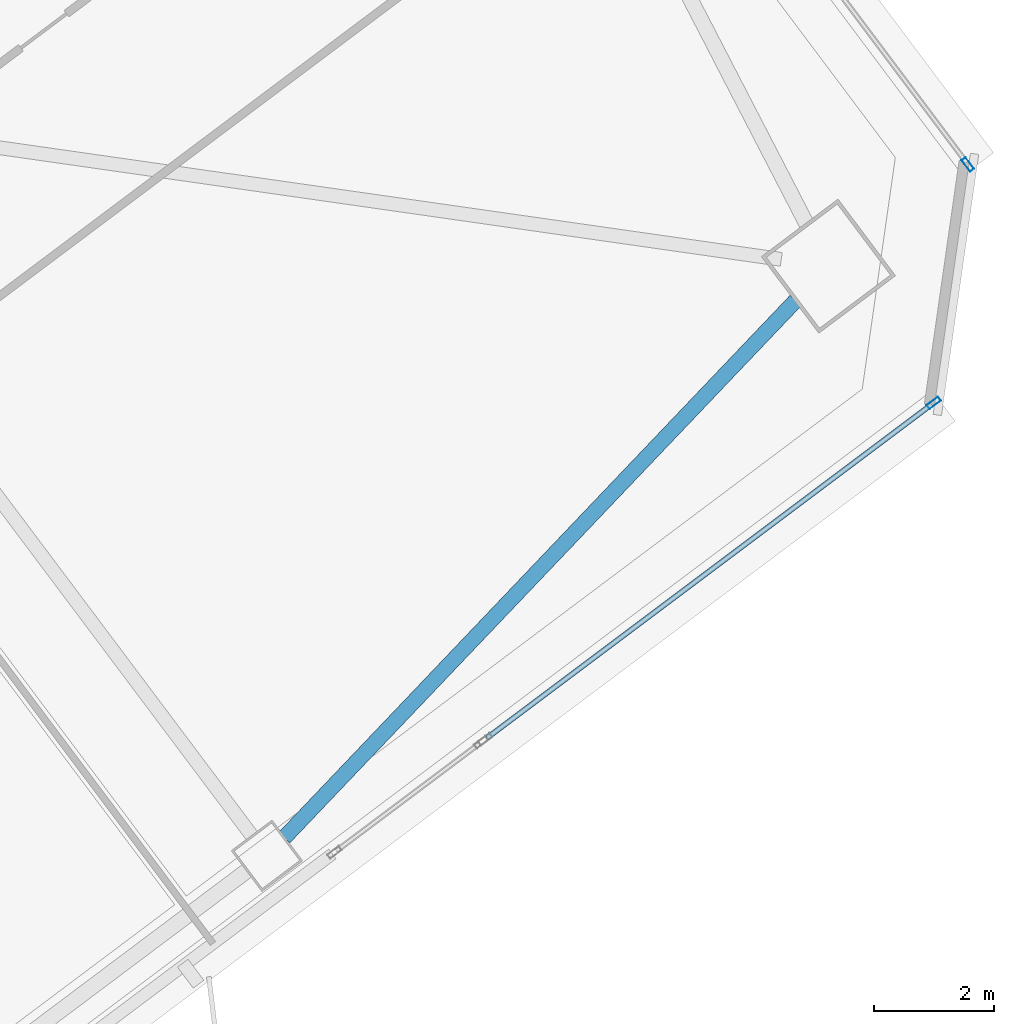
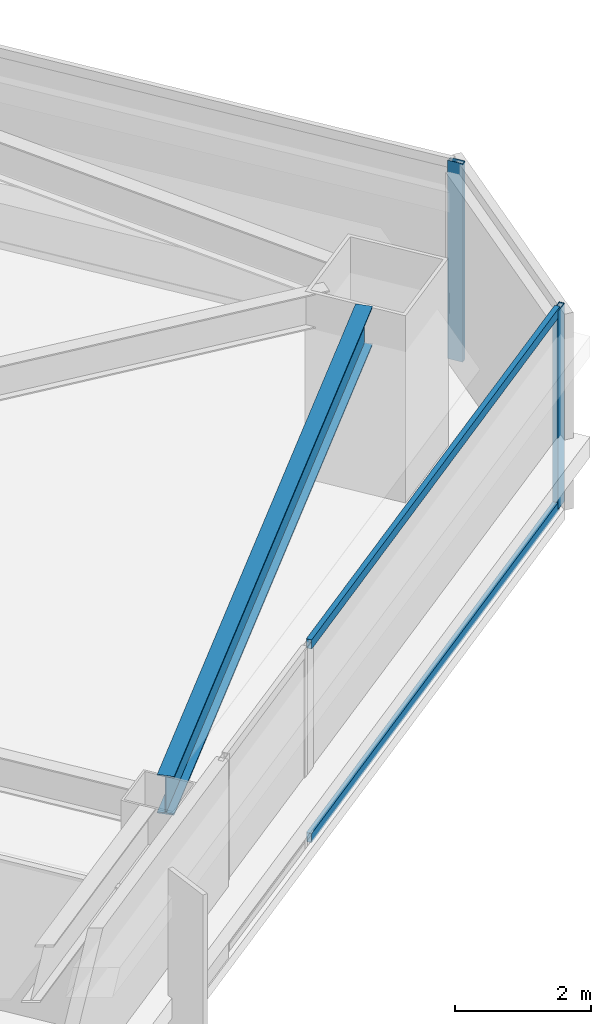
# One storey, part 39 of 62: 4 members, 1 beam, 2 elements without a shape of their own.
"""IFC4 building model written with IfcOpenShell, lengths in metres."""

import ifcopenshell
import ifcopenshell.guid

model = None  # the IFC model being written
_history = None  # IfcOwnerHistory: only IFC2X3 demands one
_inside = {}  # id of a spatial element -> (the spatial element, [elements in it])
_under = {}  # id of a project, library or spatial element -> (it, [spatial elements below it])
_declared = {}  # id of a project -> (the project, [libraries it declares])
_typed = {}  # id of a type object -> (the type object, [elements of that type])
_made_of = {}  # id of a material, layer set ... -> (it, [elements and type objects made of it])


def new_model(schema):
    """Start an empty IFC model of exactly this schema.

    Asked for "IFC4X3", IfcOpenShell would pick the latest addendum, in which some entities
    have other attributes; the version numbers below select the first issue.
    IFC2X3 requires an IfcOwnerHistory on every rooted entity: one is made here for all.
    """
    global model, _history
    if schema == "IFC4X3":
        model = ifcopenshell.file(schema_version=(4, 3, 0, 0))
    else:
        model = ifcopenshell.file(schema=schema)
    _inside.clear()
    _under.clear()
    _declared.clear()
    _typed.clear()
    _made_of.clear()
    _history = None
    if model.schema == "IFC2X3":
        org = make("IfcOrganization", Name="unknown")
        user = make(
            "IfcPersonAndOrganization",
            ThePerson=make("IfcPerson", FamilyName="unknown"),
            TheOrganization=org,
        )
        app = make(
            "IfcApplication",
            ApplicationDeveloper=org,
            Version="unknown",
            ApplicationFullName="unknown",
            ApplicationIdentifier="unknown",
        )
        _history = make(
            "IfcOwnerHistory",
            OwningUser=user,
            OwningApplication=app,
            ChangeAction="ADDED",
            CreationDate=0,
        )
    return model


def make(cls, **values):
    """One entity of the class cls with the attributes given. An attribute that is None is left unset."""
    return model.create_entity(
        cls, **{name: value for name, value in values.items() if value is not None}
    )


def rooted(cls, **values):
    """An entity with a GlobalId (a new one), such as an element, a storey or a relation."""
    return make(cls, GlobalId=ifcopenshell.guid.new(), OwnerHistory=_history, **values)


def si_unit(unit_type, name, prefix=None):
    """IfcSIUnit, for example si_unit("LENGTHUNIT", "METRE", prefix="MILLI")."""
    return make("IfcSIUnit", UnitType=unit_type, Prefix=prefix, Name=name)


def assignment(units):
    """IfcUnitAssignment: the units of a project."""
    return None if units is None else make("IfcUnitAssignment", Units=units)


def point(xyz):
    """IfcCartesianPoint."""
    return None if xyz is None else make("IfcCartesianPoint", Coordinates=xyz)


def direction(xyz):
    """IfcDirection."""
    return None if xyz is None else make("IfcDirection", DirectionRatios=xyz)


def frame(location, z_axis=None, x_axis=None):
    """IfcAxis2Placement3D, a coordinate frame: its origin and axes. An axis left out is left unset."""
    return make(
        "IfcAxis2Placement3D",
        Location=point(location),
        Axis=direction(z_axis),
        RefDirection=direction(x_axis),
    )


def frame_2d(location, x_axis=None):
    """IfcAxis2Placement2D, a coordinate frame in the plane: its origin and x axis."""
    return make(
        "IfcAxis2Placement2D", Location=point(location), RefDirection=direction(x_axis)
    )


def origin():
    """The frame at (0, 0, 0) with its axes left unset."""
    return frame((0.0, 0.0, 0.0))


def origin_2d():
    """The frame at (0, 0) in the plane with its x axis left unset."""
    return frame_2d((0.0, 0.0))


def place(relative_to, where):
    """IfcLocalPlacement: puts the frame where relative to a parent placement (None: the world)."""
    return make(
        "IfcLocalPlacement", PlacementRelTo=relative_to, RelativePlacement=where
    )


def context(
    kind, dimensions, precision=None, world=None, true_north=None, identifier=None
):
    """IfcGeometricRepresentationContext, for example the 3D "Model" context."""
    return make(
        "IfcGeometricRepresentationContext",
        ContextIdentifier=identifier,
        ContextType=kind,
        CoordinateSpaceDimension=dimensions,
        Precision=precision,
        WorldCoordinateSystem=world,
        TrueNorth=true_north,
    )


def subcontext(parent, identifier, kind, view, scale=None):
    """IfcGeometricRepresentationSubContext, for example "Body" below "Model"."""
    return make(
        "IfcGeometricRepresentationSubContext",
        ContextIdentifier=identifier,
        ContextType=kind,
        ParentContext=parent,
        TargetScale=scale,
        TargetView=view,
    )


def project(units=None, contexts=None):
    """IfcProject with its units and contexts."""
    return rooted(
        "IfcProject",
        Name="project",
        RepresentationContexts=contexts,
        UnitsInContext=assignment(units),
    )


def spatial(cls, under=None, at=None, **own):
    """A site, building, storey or space (cls), placed at a placement, below another one or the project."""
    s = rooted(cls, ObjectPlacement=at, **own)
    if under is not None:
        _under.setdefault(under.id(), (under, []))[1].append(s)
    return s


def profile(cls, at=None, kind="AREA", **sizes):
    """A parametric profile (cls). Its sizes go by their IFC names, for example OverallWidth=200.0."""
    return make(cls, ProfileType=kind, Position=at, **sizes)


def hollow_rectangle(**sizes):
    """IfcRectangleHollowProfileDef."""
    return profile("IfcRectangleHollowProfileDef", **sizes)


def i_section(**sizes):
    """IfcIShapeProfileDef."""
    return profile("IfcIShapeProfileDef", **sizes)


def extrude(swept, where, along, depth):
    """IfcExtrudedAreaSolid: the profile swept, set in the frame where, extruded along a direction by depth."""
    return make(
        "IfcExtrudedAreaSolid",
        SweptArea=swept,
        Position=where,
        ExtrudedDirection=direction(along),
        Depth=depth,
    )


def shape(context_of_items, identifier, shape_type, items):
    """IfcShapeRepresentation: the items that make up one representation, for example the "Body"."""
    return make(
        "IfcShapeRepresentation",
        ContextOfItems=context_of_items,
        RepresentationIdentifier=identifier,
        RepresentationType=shape_type,
        Items=items,
    )


def material(Name=None, Category=None):
    """IfcMaterial."""
    return make("IfcMaterial", Name=Name, Category=Category)


def material_profile(
    of_material, cross_section, Name=None, Category=None, Priority=None
):
    """IfcMaterialProfile: a cross section and its material."""
    return make(
        "IfcMaterialProfile",
        Name=Name,
        Material=of_material,
        Profile=cross_section,
        Priority=Priority,
        Category=Category,
    )


def profile_set(profiles, Name=None, composite=None):
    """IfcMaterialProfileSet."""
    return make(
        "IfcMaterialProfileSet",
        Name=Name,
        MaterialProfiles=profiles,
        CompositeProfile=composite,
    )


def made_of(thing, what):
    """Note that an element or type object is made of a material, layer set ...; save() writes the relation."""
    if what is not None:
        _made_of.setdefault(what.id(), (what, []))[1].append(thing)
    return thing


def type_object(cls, material=None, **own):
    """A type object (cls), such as IfcWallType, which elements share."""
    return made_of(rooted(cls, **own), material)


def element(
    cls,
    number,
    at=None,
    inside=None,
    cuts=None,
    type_object=None,
    material=None,
    context=None,
    identifier="Body",
    shape_type=None,
    held_by="IfcProductDefinitionShape",
    body=None,
    shapes=None,
    **own,
):
    """One element of the class cls, such as IfcWall. Its Tag is "e" and its number.

    at: its placement. inside: the storey or other place that contains it. cuts: it is an
    opening in that element (IfcRelVoidsElement). A single representation is given by context,
    identifier, shape_type and body (its items); several are given by shapes. held_by: the class
    of the entity that holds the representations. save() writes the other relations.
    """
    e = rooted(cls, Tag="e%d" % number, ObjectPlacement=at, **own)
    if body is not None:
        shapes = [shape(context, identifier, shape_type, body)]
    if shapes is not None:
        e.Representation = make(held_by, Representations=shapes)
    if inside is not None:
        _inside.setdefault(inside.id(), (inside, []))[1].append(e)
    if cuts is not None:
        rooted(
            "IfcRelVoidsElement", RelatingBuildingElement=cuts, RelatedOpeningElement=e
        )
    if type_object is not None:
        _typed.setdefault(type_object.id(), (type_object, []))[1].append(e)
    return made_of(e, material)


def aggregate(whole, parts):
    """IfcRelAggregates: a whole, such as a stair, and the parts it consists of."""
    return rooted("IfcRelAggregates", RelatingObject=whole, RelatedObjects=parts)


def save(model, path):
    """Write the relations noted so far, then the file.

    IfcRelAggregates (storeys below a building ...), IfcRelContainedInSpatialStructure (elements
    in a storey), IfcRelDefinesByType, IfcRelAssociatesMaterial and IfcRelDeclares: one each for
    every whole, place, type object, material and project.
    """
    for whole, parts in _under.values():
        aggregate(whole, parts)
    for where, things in _inside.values():
        rooted(
            "IfcRelContainedInSpatialStructure",
            RelatedElements=things,
            RelatingStructure=where,
        )
    for kind, things in _typed.values():
        rooted("IfcRelDefinesByType", RelatedObjects=things, RelatingType=kind)
    for what, things in _made_of.values():
        rooted("IfcRelAssociatesMaterial", RelatedObjects=things, RelatingMaterial=what)
    for by, libraries in _declared.values():
        rooted("IfcRelDeclares", RelatingContext=by, RelatedDefinitions=libraries)
    model.write(path)


model = new_model("IFC4")

# Units and contexts
model_context = context("Model", 3, precision=1e-05, world=origin(), true_north=direction((0.0, 1.0)))
body_context = subcontext(model_context, "Body", "Model", "MODEL_VIEW")
ifc_project = project(units=[si_unit("LENGTHUNIT", "METRE"), si_unit("AREAUNIT", "SQUARE_METRE"), si_unit("VOLUMEUNIT", "CUBIC_METRE"), si_unit("PLANEANGLEUNIT", "RADIAN"), si_unit("MASSUNIT", "GRAM", prefix="KILO")], contexts=[model_context])

# Site, building, storey
site_placement = place(None, origin())
site = spatial("IfcSite", under=ifc_project, at=site_placement, CompositionType="ELEMENT")
building_placement = place(site_placement, origin())
building = spatial("IfcBuilding", under=site, at=building_placement, Name="Tashvorn Skyway Center", CompositionType="ELEMENT")
storey_placement = place(building_placement, frame((0.0, 0.0, 28.14990234375)))
storey = spatial("IfcBuildingStorey", under=building, at=storey_placement, Name="L06", CompositionType="ELEMENT", Elevation=28.14990234375)

# Beam
ifc_material_1 = material(Name="Steel ASTM A992 Grade 50", Category="steel")
ifc_material_profile_1 = material_profile(ifc_material_1, i_section(OverallWidth=0.256103515625, OverallDepth=0.693115234375, WebThickness=0.014404296875, FlangeThickness=0.023681640625, at=origin_2d()), Name="W27X114")
ifc_profile_set_1 = profile_set([ifc_material_profile_1], Name="Steel ASTM A992 Grade 50")
beam_type = type_object("IfcBeamType", Name="BM-SPANDREL-W27X114", PredefinedType="SPANDREL", material=ifc_profile_set_1)
beam_placement = place(storey_placement, frame((131.23974609375, 18.7041015625, 3.003662109375), z_axis=(0.689589637236, 0.724200339835, 0.0), x_axis=(-0.724200339835, 0.689589637236, 0.0)))
element("IfcBeam", 1, at=beam_placement, inside=storey, type_object=beam_type, Name="Tower 2 L06 Spandrel Beam 03", PredefinedType="SPANDREL", context=body_context, shape_type="SweptSolid", body=[
    extrude(i_section(OverallWidth=0.256103515625, OverallDepth=0.693115234375, WebThickness=0.014404296875, FlangeThickness=0.023681640625, at=origin_2d()), origin(), (0.0, 0.0, 1.0), 12.37255859375),
])

# Curtain wall, member
ifc_material_2 = material(Name="Thermally broken bronze-anodized aluminium 6063-T6", Category="aluminium")
curtain_wall_type = type_object("IfcCurtainWallType", Name="CW-CW-Z1", PredefinedType="NOTDEFINED", material=ifc_material_2)
curtain_wall_1_placement = place(storey_placement, origin())
curtain_wall_1 = element("IfcCurtainWall", 2, at=curtain_wall_1_placement, inside=storey, type_object=curtain_wall_type, Name="Tower 2 L06 South Unitised Curtain Wall Glazing Group 1", PredefinedType="NOTDEFINED")
ifc_material_profile_2 = material_profile(ifc_material_2, hollow_rectangle(XDim=0.0849609375, YDim=0.239990234375, WallThickness=0.0048828125, at=origin_2d()), Name="ALU-MULL-85x240")
ifc_profile_set_2 = profile_set([ifc_material_profile_2], Name="Thermally broken bronze-anodized aluminium 6063-T6")
member_type_1 = type_object("IfcMemberType", Name="CWM-CW-Z1", PredefinedType="MULLION", material=ifc_profile_set_2)
member_1_placement = place(storey_placement, frame((142.077880859375, 25.95849609375, 0.0), z_axis=(0.0, 0.0, 1.0), x_axis=(0.600000000002, -0.799999999998, 0.0)))
member_1 = element("IfcMember", 3, at=member_1_placement, type_object=member_type_1, Name="CW-Z1 mullion 1", PredefinedType="MULLION", context=body_context, shape_type="SweptSolid", body=[
    extrude(hollow_rectangle(XDim=0.0849609375, YDim=0.239990234375, WallThickness=0.0048828125, at=origin_2d()), origin(), (0.0, 0.0, 1.0), 3.550048828125),
])

curtain_wall_2_placement = place(storey_placement, origin())
curtain_wall_2 = element("IfcCurtainWall", 4, at=curtain_wall_2_placement, inside=storey, type_object=curtain_wall_type, Name="Tower 2 L06 East Unitised Curtain Wall Glazing Group 4", PredefinedType="NOTDEFINED")
member_2_placement = place(storey_placement, frame((142.646484375, 29.93798828125, 0.0), z_axis=(0.0, 0.0, 1.0), x_axis=(0.799999999998, 0.600000000002, 0.0)))
member_2 = element("IfcMember", 5, at=member_2_placement, type_object=member_type_1, Name="CW-Z1 mullion 2", PredefinedType="MULLION", context=body_context, shape_type="SweptSolid", body=[
    extrude(hollow_rectangle(XDim=0.0849609375, YDim=0.239990234375, WallThickness=0.0048828125, at=origin_2d()), origin(), (0.0, 0.0, 1.0), 3.550048828125),
])
aggregate(curtain_wall_2, [member_2])

# Member
ifc_material_profile_3 = material_profile(ifc_material_2, hollow_rectangle(XDim=0.0849609375, YDim=0.1650390625, WallThickness=0.0048828125, at=origin_2d()), Name="ALU-TRAN-85x165")
ifc_profile_set_3 = profile_set([ifc_material_profile_3], Name="Thermally broken bronze-anodized aluminium 6063-T6")
member_type_2 = type_object("IfcMemberType", Name="CWT-CW-Z1", PredefinedType="USERDEFINED", material=ifc_profile_set_3)
member_3_placement = place(storey_placement, frame((142.0439453125, 25.93310546875, 0.04248046875), z_axis=(-0.8, -0.6, 0.0), x_axis=(0.6, -0.8, 0.0)))
member_3 = element("IfcMember", 6, at=member_3_placement, type_object=member_type_2, Name="CW-Z1 transom 1.1", ObjectType="TRANSOM", PredefinedType="USERDEFINED", context=body_context, shape_type="SweptSolid", body=[
    extrude(hollow_rectangle(XDim=0.0849609375, YDim=0.1650390625, WallThickness=0.0048828125, at=origin_2d()), origin(), (0.0, 0.0, 1.0), 9.27001953125),
])

member_4_placement = place(storey_placement, frame((142.0439453125, 25.93310546875, 3.507568359375), z_axis=(-0.8, -0.6, 0.0), x_axis=(0.6, -0.8, 0.0)))
member_4 = element("IfcMember", 7, at=member_4_placement, type_object=member_type_2, Name="CW-Z1 transom 1.2", ObjectType="TRANSOM", PredefinedType="USERDEFINED", context=body_context, shape_type="SweptSolid", body=[
    extrude(hollow_rectangle(XDim=0.0849609375, YDim=0.1650390625, WallThickness=0.0048828125, at=origin_2d()), origin(), (0.0, 0.0, 1.0), 9.27001953125),
])

aggregate(curtain_wall_1, [member_1, member_3, member_4])

save(model, "model.ifc")
